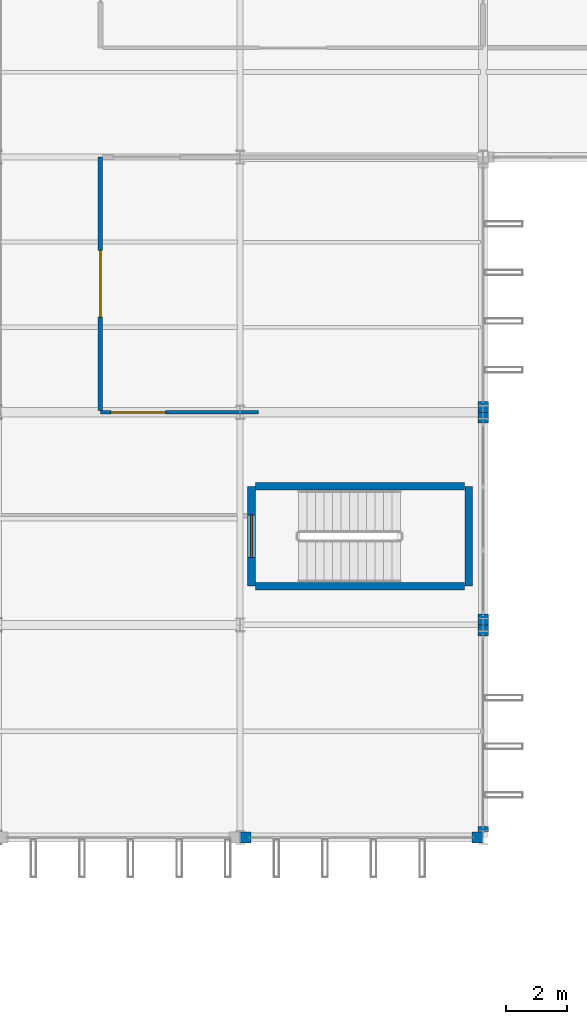
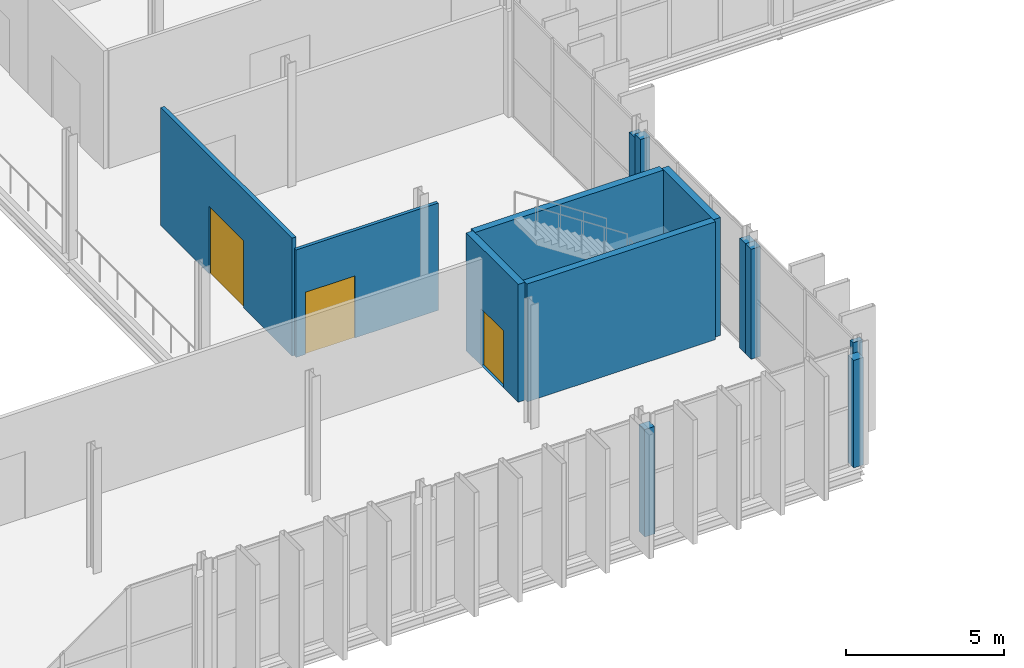
# One storey, part 95 of 120: 13 walls, 3 doors, 3 openings.
"""IFC4 building model written with IfcOpenShell, lengths in metres."""

from ifc_helpers import new_model, si_unit, direction, frame, frame_2d, origin, place, context, subcontext, project, spatial, rectangle, extrude, material, layer, layer_set, type_object, element, fill, save


model = new_model("IFC4")

# Units and contexts
model_context = context("Model", 3, precision=1e-05, world=origin(), true_north=direction((0.0, 1.0)))
body_context = subcontext(model_context, "Body", "Model", "MODEL_VIEW")
ifc_project = project(units=[si_unit("LENGTHUNIT", "METRE"), si_unit("AREAUNIT", "SQUARE_METRE"), si_unit("VOLUMEUNIT", "CUBIC_METRE"), si_unit("PLANEANGLEUNIT", "RADIAN"), si_unit("MASSUNIT", "GRAM", prefix="KILO")], contexts=[model_context])

# Site, building, storey
site_placement = place(None, origin())
site = spatial("IfcSite", under=ifc_project, at=site_placement, CompositionType="ELEMENT")
building_placement = place(site_placement, origin())
building = spatial("IfcBuilding", under=site, at=building_placement, Name="Vekula Escarpment Museum", CompositionType="ELEMENT")
storey_placement = place(building_placement, frame((0.0, 0.0, 13.199951171875)))
storey = spatial("IfcBuildingStorey", under=building, at=storey_placement, Name="L03", CompositionType="ELEMENT", Elevation=13.199951171875)

# Walls
ifc_material_1 = material(Name="Inkisi arkosic sandstone masonry", Category="masonry")
ifc_layer_1 = layer(ifc_material_1, 0.35009765625)
ifc_layer_set_1 = layer_set([ifc_layer_1], Name="Inkisi arkosic sandstone masonry")
wall_type_1 = type_object("IfcWallType", Name="WL-ALM-350", PredefinedType="SOLIDWALL", material=ifc_layer_set_1)
for number, where, z_axis, x_axis, name in (
    (1, (118.0, 45.60009765625, 0.0), (0.0, 0.0, 1.0), (1.0, 0.0, 0.0), "Facade Jamb Pier L03-0576A"),
    (2, (125.639892578125, 45.60009765625, 0.0), (0.0, 0.0, 1.0), (1.0, 0.0, 0.0), "Facade Jamb Pier L03-0577B"),
):
    element("IfcWall", number, at=place(storey_placement, frame(where, z_axis=z_axis, x_axis=x_axis)), inside=storey, type_object=wall_type_1, Name=name, PredefinedType="SOLIDWALL", context=body_context, shape_type="SweptSolid", body=[
        extrude(rectangle(XDim=0.360107421875, YDim=0.35009765625, at=frame_2d((0.18017578125, 0.0))), origin(), (0.0, 0.0, 1.0), 4.155029296875),
    ])
wall_1_placement = place(storey_placement, frame((126.0, 45.779052734375, 0.0), z_axis=(0.0, 0.0, 1.0), x_axis=(0.0, 1.0, 0.0)))
element("IfcWall", 3, at=wall_1_placement, inside=storey, type_object=wall_type_1, Name="Facade Jamb Pier L03-0578A", PredefinedType="SOLIDWALL", context=body_context, shape_type="SweptSolid", body=[
    extrude(rectangle(XDim=0.180908203125, YDim=0.35009765625, at=frame_2d((0.09033203125, 0.0))), origin(), (0.0, 0.0, 1.0), 4.56005859375),
])
wall_2_placement = place(storey_placement, frame((126.0, 52.239990234375, 0.0), z_axis=(0.0, 0.0, 1.0), x_axis=(0.0, 1.0, 0.0)))
element("IfcWall", 4, at=wall_2_placement, inside=storey, type_object=wall_type_1, Name="Facade Jamb Pier L03-0579B", PredefinedType="SOLIDWALL", context=body_context, shape_type="SweptSolid", body=[
    extrude(rectangle(XDim=0.360107421875, YDim=0.35009765625, at=frame_2d((0.18017578125, 0.0))), origin(), (0.0, 0.0, 1.0), 4.255126953125),
])
wall_3_placement = place(storey_placement, frame((126.0, 52.60009765625, 0.0), z_axis=(0.0, 0.0, 1.0), x_axis=(0.0, 1.0, 0.0)))
element("IfcWall", 5, at=wall_3_placement, inside=storey, type_object=wall_type_1, Name="Facade Jamb Pier L03-0580A", PredefinedType="SOLIDWALL", context=body_context, shape_type="SweptSolid", body=[
    extrude(rectangle(XDim=0.35986328125, YDim=0.35009765625, at=frame_2d((0.179931640625, 0.0))), origin(), (0.0, 0.0, 1.0), 4.255126953125),
])
wall_4_placement = place(storey_placement, frame((126.0, 59.239990234375, 0.0), z_axis=(0.0, 0.0, 1.0), x_axis=(0.0, 1.0, 0.0)))
element("IfcWall", 6, at=wall_4_placement, inside=storey, type_object=wall_type_1, Name="Facade Jamb Pier L03-0581B", PredefinedType="SOLIDWALL", context=body_context, shape_type="SweptSolid", body=[
    extrude(rectangle(XDim=0.360107421875, YDim=0.35009765625, at=frame_2d((0.18017578125, 0.0))), origin(), (0.0, 0.0, 1.0), 4.255126953125),
])
wall_5_placement = place(storey_placement, frame((126.0, 59.60009765625, 0.0), z_axis=(0.0, 0.0, 1.0), x_axis=(0.0, 1.0, 0.0)))
element("IfcWall", 7, at=wall_5_placement, inside=storey, type_object=wall_type_1, Name="Facade Jamb Pier L03-0582A", PredefinedType="SOLIDWALL", context=body_context, shape_type="SweptSolid", body=[
    extrude(rectangle(XDim=0.35986328125, YDim=0.35009765625, at=frame_2d((0.179931640625, 0.0))), origin(), (0.0, 0.0, 1.0), 4.10498046875),
])

# Wall, opening, door
ifc_material_2 = material(Name="Concrete C35/45", Category="concrete")
ifc_layer_2 = layer(ifc_material_2, 0.25)
ifc_layer_set_2 = layer_set([ifc_layer_2], Name="Concrete C35/45")
wall_type_2 = type_object("IfcWallType", Name="WL-CORE-250", PredefinedType="SHEAR", material=ifc_layer_set_2)
wall_6_placement = place(storey_placement, frame((118.375, 53.875, 0.0), z_axis=(0.0, 0.0, 1.0), x_axis=(0.0, 1.0, 0.0)))
wall_6 = element("IfcWall", 8, at=wall_6_placement, inside=storey, type_object=wall_type_2, Name="Stair Core Wall ST-08 L03 W", PredefinedType="SHEAR", context=body_context, shape_type="SweptSolid", body=[
    extrude(rectangle(XDim=3.2900390625, YDim=0.25, at=frame_2d((1.64501953125, 0.0))), origin(), (0.0, 0.0, 1.0), 4.56005859375),
])
opening_1_placement = place(wall_6_placement, frame((0.945068359375, 0.0, 0.0)))
opening_1 = element("IfcOpeningElement", 9, at=opening_1_placement, cuts=wall_6, Name="Opening DR-FD60", PredefinedType="OPENING", context=body_context, shape_type="SweptSolid", body=[
    extrude(rectangle(XDim=1.39990234375, YDim=2.199951171875, at=frame_2d((0.699951171875, 1.10009765625))), frame((0.0, 0.135009765625, 0.0), z_axis=(0.0, -1.0, 0.0), x_axis=(1.0, 0.0, 0.0)), (0.0, 0.0, 1.0), 0.27001953125),
])
ifc_material_3 = material(Name="Fire-rated steel stair door", Category="steel")
door_type_1 = type_object("IfcDoorType", Name="DR-STAIR-1400x2200", OperationType="NOTDEFINED", PredefinedType="DOOR", material=ifc_material_3)
door_1_placement = place(opening_1_placement, origin())
door_1 = element("IfcDoor", 10, at=door_1_placement, inside=storey, type_object=door_type_1, Name="Protected Exit Stair Door ST-08 L03", OperationType="SINGLE_SWING_LEFT", OverallHeight=2.199951171875, OverallWidth=1.39990234375, PredefinedType="DOOR", context=body_context, shape_type="SweptSolid", body=[
    extrude(rectangle(XDim=1.39990234375, YDim=2.199951171875, at=frame_2d((0.699951171875, 1.10009765625))), frame((0.0, 0.02490234375, 0.0), z_axis=(0.0, -1.0, 0.0), x_axis=(1.0, 0.0, 0.0)), (0.0, 0.0, 1.0), 0.050048828125),
])
fill(opening_1, door_1)

# Walls
wall_7_placement = place(storey_placement, frame((125.52490234375, 53.875, 0.0), z_axis=(0.0, 0.0, 1.0), x_axis=(0.0, 1.0, 0.0)))
element("IfcWall", 11, at=wall_7_placement, inside=storey, type_object=wall_type_2, Name="Stair Core Wall ST-08 L03 E", PredefinedType="SHEAR", context=body_context, shape_type="SweptSolid", body=[
    extrude(rectangle(XDim=3.2900390625, YDim=0.25, at=frame_2d((1.64501953125, 0.0))), origin(), (0.0, 0.0, 1.0), 4.56005859375),
])
for number, where, z_axis, x_axis, name in (
    (12, (118.50390625, 53.875, 0.0), (0.0, 0.0, 1.0), (1.0, 0.0, 0.0), "Stair Core Wall ST-08 L03 S"),
    (13, (118.50390625, 57.1650390625, 0.0), (0.0, 0.0, 1.0), (1.0, 0.0, 0.0), "Stair Core Wall ST-08 L03 N"),
):
    element("IfcWall", number, at=place(storey_placement, frame(where, z_axis=z_axis, x_axis=x_axis)), inside=storey, type_object=wall_type_2, Name=name, PredefinedType="SHEAR", context=body_context, shape_type="SweptSolid", body=[
        extrude(rectangle(XDim=6.89208984375, YDim=0.25, at=frame_2d((3.446044921875, 0.0))), origin(), (0.0, 0.0, 1.0), 4.56005859375),
    ])

# Wall, opening, door
ifc_material_4 = material(Name="Lightweight studio partition", Category="gypsum")
ifc_layer_3 = layer(ifc_material_4, 0.1201171875)
ifc_layer_set_3 = layer_set([ifc_layer_3], Name="Lightweight studio partition")
wall_type_3 = type_object("IfcWallType", Name="WL-PART-120", PredefinedType="PARTITIONING", material=ifc_layer_set_3)
wall_8_placement = place(storey_placement, frame((113.39990234375, 59.60009765625, 0.0), z_axis=(0.0, 0.0, 1.0), x_axis=(1.0, 0.0, 0.0)))
wall_8 = element("IfcWall", 14, at=wall_8_placement, inside=storey, type_object=wall_type_3, Name="Interior Partition WL-INT-L03-0027", PredefinedType="PARTITIONING", context=body_context, shape_type="SweptSolid", body=[
    extrude(rectangle(XDim=5.2001953125, YDim=0.1201171875, at=frame_2d((2.60009765625, 0.0))), origin(), (0.0, 0.0, 1.0), 4.155029296875),
])
opening_2_placement = place(wall_8_placement, frame((0.35009765625, 0.0, 0.0)))
opening_2 = element("IfcOpeningElement", 15, at=opening_2_placement, cuts=wall_8, Name="Opening DR-GL18", PredefinedType="OPENING", context=body_context, shape_type="SweptSolid", body=[
    extrude(rectangle(XDim=1.800048828125, YDim=2.39990234375, at=frame_2d((0.89990234375, 1.199951171875))), frame((0.0, 0.070068359375, 0.0), z_axis=(0.0, -1.0, 0.0), x_axis=(1.0, 0.0, 0.0)), (0.0, 0.0, 1.0), 0.14013671875),
])
ifc_material_5 = material(Name="Double glazed gallery portal door", Category="steel")
door_type_2 = type_object("IfcDoorType", Name="DR-GAL-1800x2400", OperationType="NOTDEFINED", PredefinedType="DOOR", material=ifc_material_5)
door_2_placement = place(opening_2_placement, origin())
door_2 = element("IfcDoor", 16, at=door_2_placement, inside=storey, type_object=door_type_2, Name="Interior Door L03-026", OperationType="SINGLE_SWING_LEFT", OverallHeight=2.39990234375, OverallWidth=1.800048828125, PredefinedType="DOOR", context=body_context, shape_type="SweptSolid", body=[
    extrude(rectangle(XDim=1.800048828125, YDim=2.39990234375, at=frame_2d((0.89990234375, 1.199951171875))), frame((0.0, 0.02490234375, 0.0), z_axis=(0.0, -1.0, 0.0), x_axis=(1.0, 0.0, 0.0)), (0.0, 0.0, 1.0), 0.050048828125),
])
fill(opening_2, door_2)

ifc_material_6 = material(Name="Gypsum board dry-lined partition", Category="gypsum")
ifc_layer_4 = layer(ifc_material_6, 0.14990234375)
ifc_layer_set_4 = layer_set([ifc_layer_4], Name="Gypsum board dry-lined partition")
wall_type_4 = type_object("IfcWallType", Name="WL-PART-150", PredefinedType="PARTITIONING", material=ifc_layer_set_4)
wall_9_placement = place(storey_placement, frame((113.39990234375, 59.6640625, 0.0), z_axis=(0.0, 0.0, 1.0), x_axis=(0.0, 1.0, 0.0)))
wall_9 = element("IfcWall", 17, at=wall_9_placement, inside=storey, type_object=wall_type_4, Name="Interior Partition WL-INT-L03-0029", PredefinedType="PARTITIONING", context=body_context, shape_type="SweptSolid", body=[
    extrude(rectangle(XDim=8.3359375, YDim=0.14990234375, at=frame_2d((4.16796875, 0.0))), origin(), (0.0, 0.0, 1.0), 4.56005859375),
])
opening_3_placement = place(wall_9_placement, frame((3.068115234375, 0.0, 0.0)))
opening_3 = element("IfcOpeningElement", 18, at=opening_3_placement, cuts=wall_9, Name="Opening DR-GL22", PredefinedType="OPENING", context=body_context, shape_type="SweptSolid", body=[
    extrude(rectangle(XDim=2.199951171875, YDim=2.60009765625, at=frame_2d((1.10009765625, 1.300048828125))), frame((0.0, 0.0849609375, 0.0), z_axis=(0.0, -1.0, 0.0), x_axis=(1.0, 0.0, 0.0)), (0.0, 0.0, 1.0), 0.169921875),
])
ifc_material_7 = material(Name="Double acoustic timber gallery door", Category="wood")
door_type_3 = type_object("IfcDoorType", Name="DR-GAL-2200x2600", OperationType="NOTDEFINED", PredefinedType="DOOR", material=ifc_material_7)
door_3_placement = place(opening_3_placement, origin())
door_3 = element("IfcDoor", 19, at=door_3_placement, inside=storey, type_object=door_type_3, Name="Interior Door L03-028", OperationType="SINGLE_SWING_LEFT", OverallHeight=2.60009765625, OverallWidth=2.199951171875, PredefinedType="DOOR", context=body_context, shape_type="SweptSolid", body=[
    extrude(rectangle(XDim=2.199951171875, YDim=2.60009765625, at=frame_2d((1.10009765625, 1.300048828125))), frame((0.0, 0.02490234375, 0.0), z_axis=(0.0, -1.0, 0.0), x_axis=(1.0, 0.0, 0.0)), (0.0, 0.0, 1.0), 0.050048828125),
])
fill(opening_3, door_3)

save(model, "model.ifc")
